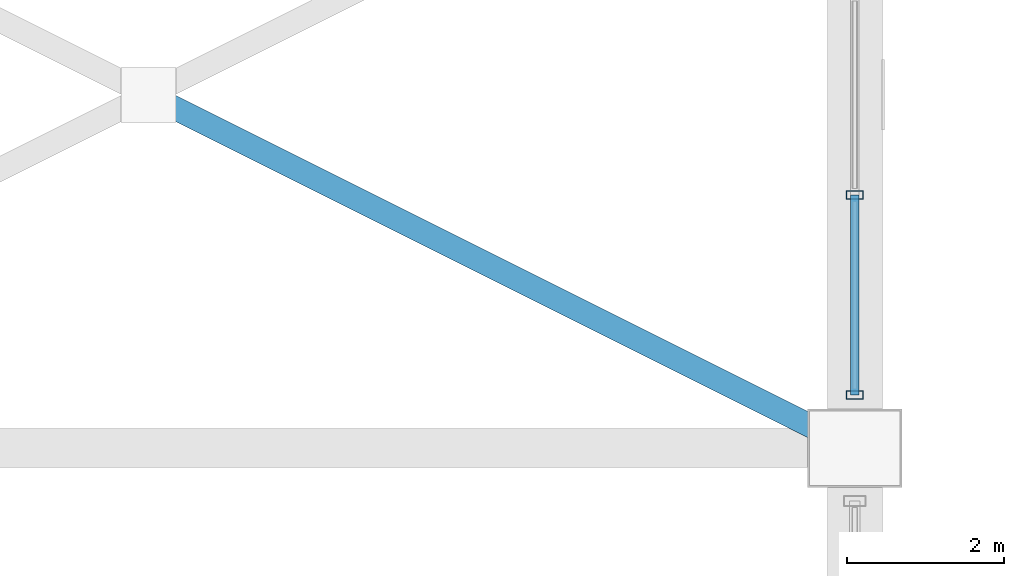
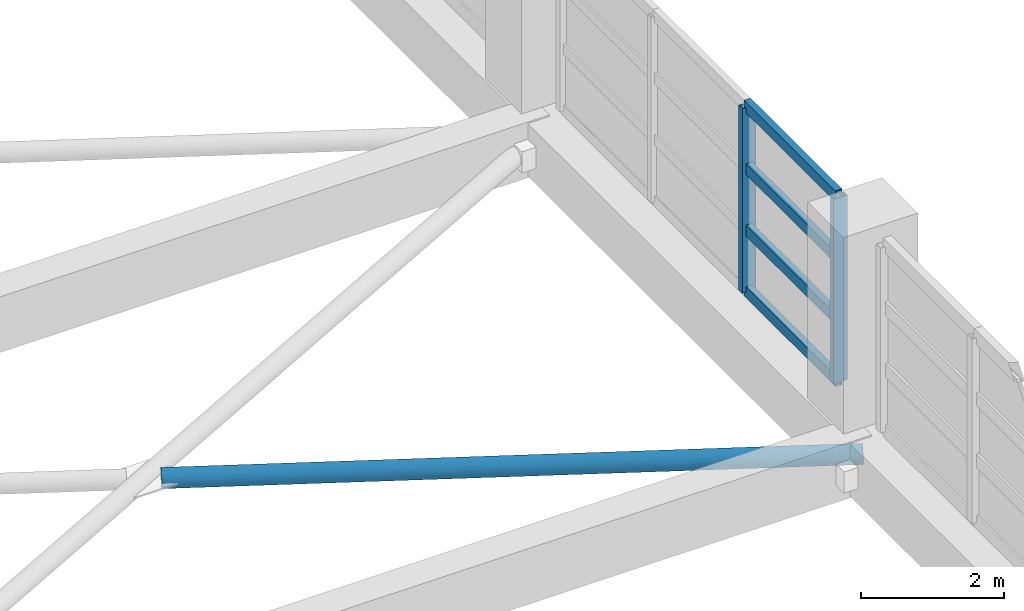
# One storey, part 48 of 116: 7 members, 1 element without a shape of its own.
"""IFC4 building model written with IfcOpenShell, lengths in metres."""

from ifc_helpers import new_model, si_unit, direction, frame, origin, origin_2d, place, context, subcontext, project, spatial, hollow_rectangle, hollow_circle, extrude, material, material_profile, profile_set, type_object, element, aggregate, save


model = new_model("IFC4")

# Units and contexts
model_context = context("Model", 3, precision=1e-05, world=origin(), true_north=direction((0.0, 1.0)))
body_context = subcontext(model_context, "Body", "Model", "MODEL_VIEW")
ifc_project = project(units=[si_unit("LENGTHUNIT", "METRE"), si_unit("AREAUNIT", "SQUARE_METRE"), si_unit("VOLUMEUNIT", "CUBIC_METRE"), si_unit("PLANEANGLEUNIT", "RADIAN"), si_unit("MASSUNIT", "GRAM", prefix="KILO")], contexts=[model_context])

# Site, building, storey
site_placement = place(None, origin())
site = spatial("IfcSite", under=ifc_project, at=site_placement, CompositionType="ELEMENT")
building_placement = place(site_placement, origin())
building = spatial("IfcBuilding", under=site, at=building_placement, Name="Chuanluo Vaults Station", CompositionType="ELEMENT")
storey_placement = place(building_placement, frame((0.0, 0.0, 10.800048828125)))
storey = spatial("IfcBuildingStorey", under=building, at=storey_placement, Name="L02", CompositionType="ELEMENT", Elevation=10.800048828125)

# Curtain wall, members
ifc_material_1 = material(Name="Anodised aluminium 6063-T6", Category="aluminium")
curtain_wall_type = type_object("IfcCurtainWallType", Name="CW-SYS-16", PredefinedType="NOTDEFINED", material=ifc_material_1)
curtain_wall_placement = place(storey_placement, origin())
curtain_wall = element("IfcCurtainWall", 1, at=curtain_wall_placement, inside=storey, type_object=curtain_wall_type, Name="Train shed east clerestory CW 76", PredefinedType="NOTDEFINED")
ifc_material_2 = material(Name="Anodised aluminium 6063-T6", Category="aluminium")
ifc_material_profile_1 = material_profile(ifc_material_2, hollow_rectangle(XDim=0.10498046875, YDim=0.219970703125, WallThickness=0.006103515625, at=origin_2d()))
ifc_profile_set_1 = profile_set([ifc_material_profile_1], Name="Anodised aluminium 6063-T6")
member_type_1 = type_object("IfcMemberType", Name="CWM-140", PredefinedType="MULLION", material=ifc_profile_set_1)
member_1_placement = place(storey_placement, frame((126.0, 79.72509765625, 0.0), z_axis=(0.0, 0.0, 1.0), x_axis=(0.0, -1.0, 0.0)))
member_1 = element("IfcMember", 2, at=member_1_placement, type_object=member_type_1, Name="Train shed east clerestory CW 76 mullion 3", PredefinedType="MULLION", context=body_context, shape_type="SweptSolid", body=[
    extrude(hollow_rectangle(XDim=0.10498046875, YDim=0.219970703125, WallThickness=0.006103515625, at=origin_2d()), origin(), (0.0, 0.0, 1.0), 3.14990234375),
])
member_2_placement = place(storey_placement, frame((126.0, 77.175048828125, 0.0), z_axis=(0.0, 0.0, 1.0), x_axis=(0.0, -1.0, 0.0)))
member_2 = element("IfcMember", 3, at=member_2_placement, type_object=member_type_1, Name="Train shed east clerestory CW 76 mullion 4", PredefinedType="MULLION", context=body_context, shape_type="SweptSolid", body=[
    extrude(hollow_rectangle(XDim=0.10498046875, YDim=0.219970703125, WallThickness=0.006103515625, at=origin_2d()), origin(), (0.0, 0.0, 1.0), 3.14990234375),
])
ifc_material_3 = material(Name="Anodised aluminium 6063-T6", Category="aluminium")
ifc_material_profile_2 = material_profile(ifc_material_3, hollow_rectangle(XDim=0.10498046875, YDim=0.18505859375, WallThickness=0.0048828125, at=origin_2d()))
ifc_profile_set_2 = profile_set([ifc_material_profile_2], Name="Anodised aluminium 6063-T6")
member_type_2 = type_object("IfcMemberType", Name="CWT-110", PredefinedType="USERDEFINED", material=ifc_profile_set_2)
member_3_placement = place(storey_placement, frame((126.0, 79.72509765625, 0.0), z_axis=(0.0, -1.0, 0.0), x_axis=(1.0, 0.0, 0.0)))
member_3 = element("IfcMember", 4, at=member_3_placement, type_object=member_type_2, Name="Train shed east clerestory CW 76 transom 3.1", ObjectType="TRANSOM", PredefinedType="USERDEFINED", context=body_context, shape_type="SweptSolid", body=[
    extrude(hollow_rectangle(XDim=0.10498046875, YDim=0.18505859375, WallThickness=0.0048828125, at=origin_2d()), origin(), (0.0, 0.0, 1.0), 2.550048828125),
])
member_4_placement = place(storey_placement, frame((126.0, 79.72509765625, 1.050048828125), z_axis=(0.0, -1.0, 0.0), x_axis=(1.0, 0.0, 0.0)))
member_4 = element("IfcMember", 5, at=member_4_placement, type_object=member_type_2, Name="Train shed east clerestory CW 76 transom 3.2", ObjectType="TRANSOM", PredefinedType="USERDEFINED", context=body_context, shape_type="SweptSolid", body=[
    extrude(hollow_rectangle(XDim=0.10498046875, YDim=0.18505859375, WallThickness=0.0048828125, at=origin_2d()), origin(), (0.0, 0.0, 1.0), 2.550048828125),
])
member_5_placement = place(storey_placement, frame((126.0, 79.72509765625, 2.099853515625), z_axis=(0.0, -1.0, 0.0), x_axis=(1.0, 0.0, 0.0)))
member_5 = element("IfcMember", 6, at=member_5_placement, type_object=member_type_2, Name="Train shed east clerestory CW 76 transom 3.3", ObjectType="TRANSOM", PredefinedType="USERDEFINED", context=body_context, shape_type="SweptSolid", body=[
    extrude(hollow_rectangle(XDim=0.10498046875, YDim=0.18505859375, WallThickness=0.0048828125, at=origin_2d()), origin(), (0.0, 0.0, 1.0), 2.550048828125),
])
member_6_placement = place(storey_placement, frame((126.0, 79.72509765625, 3.14990234375), z_axis=(0.0, -1.0, 0.0), x_axis=(1.0, 0.0, 0.0)))
member_6 = element("IfcMember", 7, at=member_6_placement, type_object=member_type_2, Name="Train shed east clerestory CW 76 transom 3.4", ObjectType="TRANSOM", PredefinedType="USERDEFINED", context=body_context, shape_type="SweptSolid", body=[
    extrude(hollow_rectangle(XDim=0.10498046875, YDim=0.18505859375, WallThickness=0.0048828125, at=origin_2d()), origin(), (0.0, 0.0, 1.0), 2.550048828125),
])
aggregate(curtain_wall, [member_1, member_2, member_3, member_4, member_5, member_6])

# Member
ifc_material_4 = material(Name="Steel Q355C", Category="steel")
ifc_material_profile_3 = material_profile(ifc_material_4, hollow_circle(Radius=0.1494140625, WallThickness=0.011962890625, at=origin_2d()))
ifc_profile_set_3 = profile_set([ifc_material_profile_3], Name="Steel Q355C")
member_type_3 = type_object("IfcMemberType", Name="MEM-CHS-299", PredefinedType="BRACE", material=ifc_profile_set_3)
member_7_placement = place(storey_placement, frame((117.219970703125, 80.889892578125, -0.85009765625), z_axis=(0.894432165125, -0.447203647112, 0.0), x_axis=(0.447203647112, 0.894432165125, 0.0)))
element("IfcMember", 8, at=member_7_placement, inside=storey, type_object=member_type_3, Name="Over-track diaphragm split X-brace 7-85B", PredefinedType="BRACE", context=body_context, shape_type="SweptSolid", body=[
    extrude(hollow_circle(Radius=0.1494140625, WallThickness=0.011962890625, at=origin_2d()), origin(), (0.0, 0.0, 1.0), 9.81640625),
])

save(model, "model.ifc")
